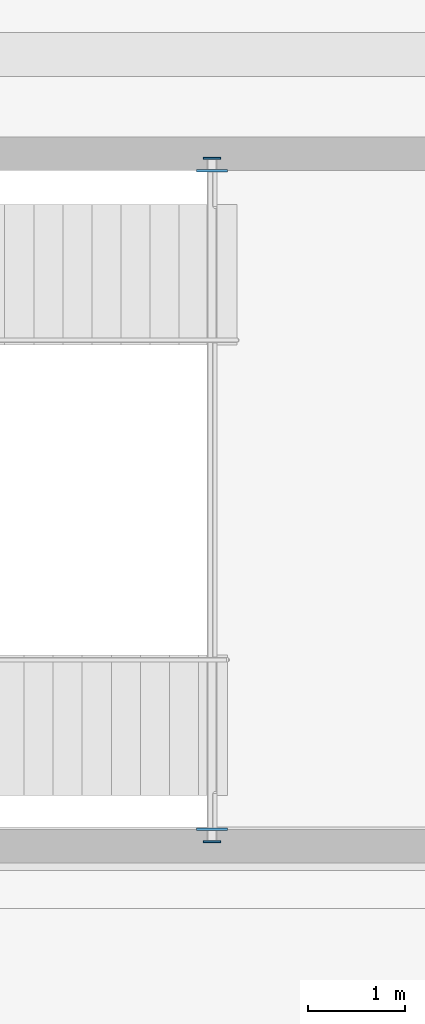
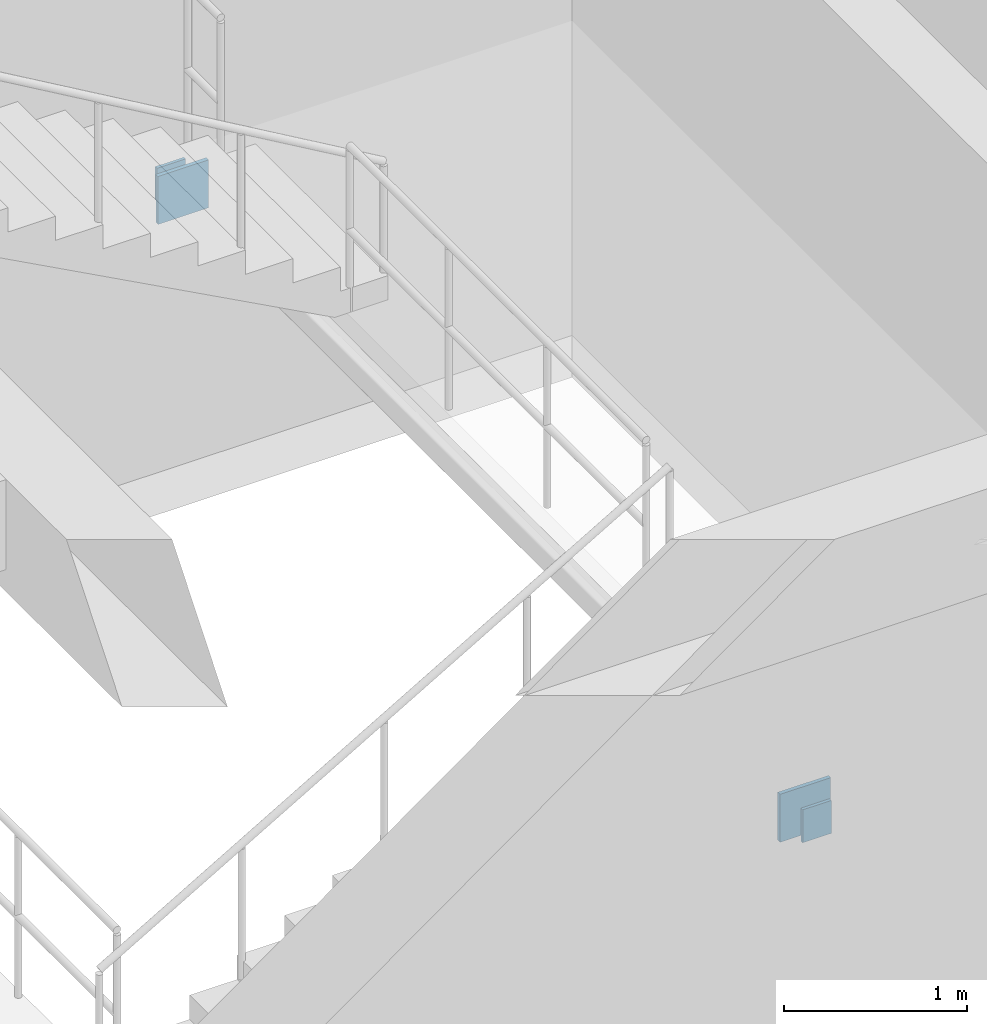
# One storey, part 15 of 35: 4 plates.
"""IFC4 building model written with IfcOpenShell, lengths in metres."""

from ifc_helpers import new_model, si_unit, direction, frame, origin, origin_2d, place, context, subcontext, project, spatial, rectangle, extrude, material, layer, layer_set, type_object, element, save


model = new_model("IFC4")

# Units and contexts
model_context = context("Model", 3, precision=1e-05, world=origin(), true_north=direction((0.0, 1.0)))
body_context = subcontext(model_context, "Body", "Model", "MODEL_VIEW")
ifc_project = project(units=[si_unit("LENGTHUNIT", "METRE"), si_unit("AREAUNIT", "SQUARE_METRE"), si_unit("VOLUMEUNIT", "CUBIC_METRE"), si_unit("PLANEANGLEUNIT", "RADIAN"), si_unit("MASSUNIT", "GRAM", prefix="KILO"), si_unit("THERMODYNAMICTEMPERATUREUNIT", "KELVIN"), si_unit("POWERUNIT", "WATT")], contexts=[model_context])

# Site, building, storey
site_placement = place(None, origin())
site = spatial("IfcSite", under=ifc_project, at=site_placement, CompositionType="ELEMENT")
building_placement = place(site_placement, origin())
building = spatial("IfcBuilding", under=site, at=building_placement, Name="Solvatero Civic Police Headquarters", CompositionType="ELEMENT")
storey_placement = place(building_placement, frame((0.0, 0.0, -4.199951171875)))
storey = spatial("IfcBuildingStorey", under=building, at=storey_placement, Name="B01", CompositionType="ELEMENT", Elevation=-4.199951171875)

# Plates
ifc_material = material(Name="Steel S355", Category="steel")
ifc_layer_1 = layer(ifc_material, 0.02001953125)
ifc_layer_set_1 = layer_set([ifc_layer_1], Name="Steel S355")
plate_type_1 = type_object("IfcPlateType", Name="PLT-CAP-20", PredefinedType="SHEET", material=ifc_layer_set_1)
for number, where, z_axis, x_axis, name in (
    (1, (23.93994140625, 75.070068359375, 1.71484375), (0.0, 0.0, 1.0), (1.0, 0.0, 0.0), "Hollow Section Cap Plate 0053"),
    (2, (23.93994140625, 82.1298828125, 1.71484375), (0.0, 0.0, 1.0), (1.0, 0.0, 0.0), "Hollow Section Cap Plate 0054"),
):
    element("IfcPlate", number, at=place(storey_placement, frame(where, z_axis=z_axis, x_axis=x_axis)), inside=storey, type_object=plate_type_1, Name=name, PredefinedType="SHEET", context=body_context, shape_type="SweptSolid", body=[
        extrude(rectangle(XDim=0.179931640625, YDim=0.02001953125, at=origin_2d()), origin(), (0.0, 0.0, 1.0), 0.219970703125),
    ])
ifc_layer_2 = layer(ifc_material, 0.02490234375)
ifc_layer_set_2 = layer_set([ifc_layer_2], Name="Steel S355")
plate_type_2 = type_object("IfcPlateType", Name="PLT-EMB-25", PredefinedType="SHEET", material=ifc_layer_set_2)
for number, where, z_axis, x_axis, name in (
    (3, (23.93994140625, 75.199951171875, 1.6650390625), (0.0, 0.0, 1.0), (1.0, 0.0, 0.0), "Cast-In Shear Wall Embed Plate 0053"),
    (4, (23.93994140625, 82.0, 1.6650390625), (0.0, 0.0, 1.0), (1.0, 0.0, 0.0), "Cast-In Shear Wall Embed Plate 0054"),
):
    element("IfcPlate", number, at=place(storey_placement, frame(where, z_axis=z_axis, x_axis=x_axis)), inside=storey, type_object=plate_type_2, Name=name, PredefinedType="SHEET", context=body_context, shape_type="SweptSolid", body=[
        extrude(rectangle(XDim=0.320068359375, YDim=0.02490234375, at=origin_2d()), origin(), (0.0, 0.0, 1.0), 0.320068359375),
    ])

save(model, "model.ifc")
